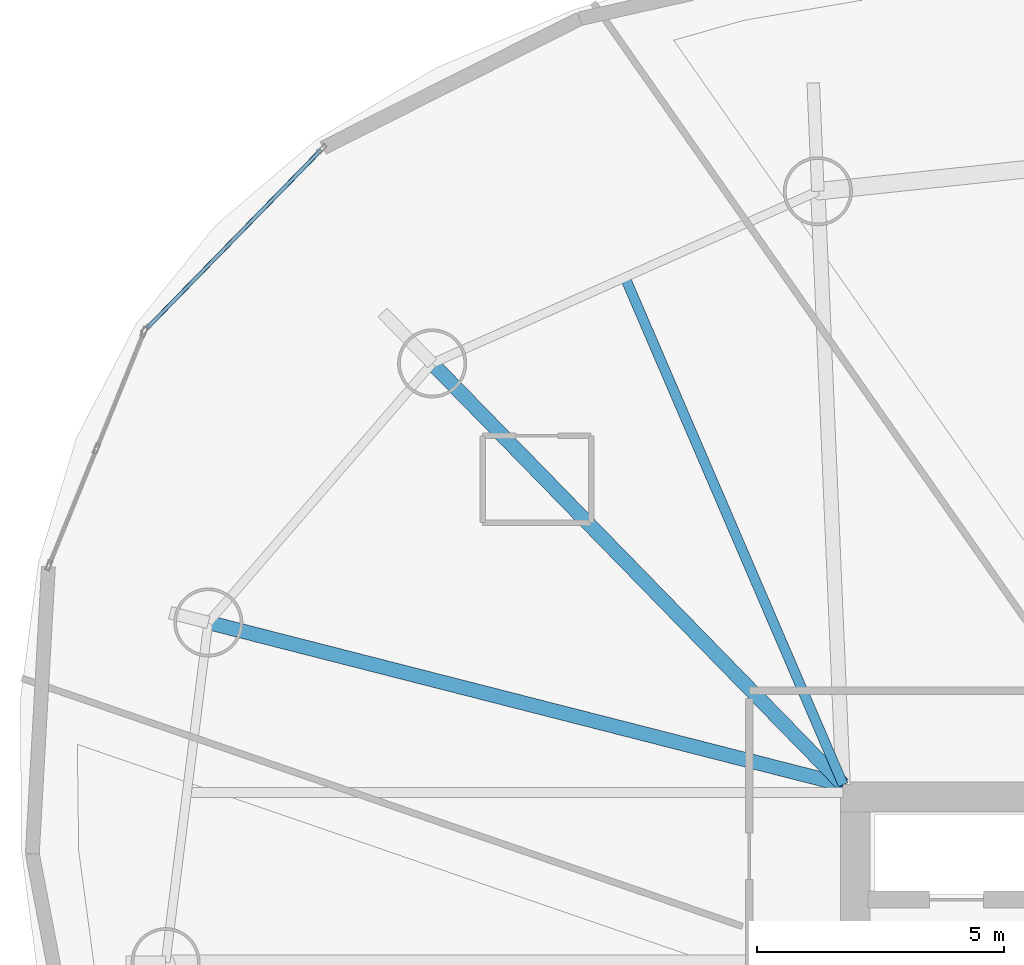
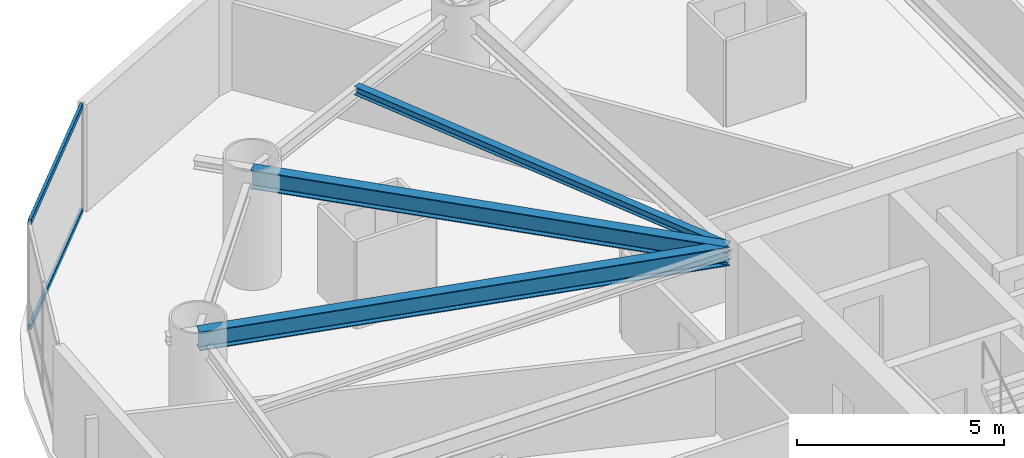
# One storey, part 11 of 21: 3 beams, 2 members, 1 element without a shape of its own.
"""IFC4 building model written with IfcOpenShell, lengths in metres."""

from ifc_helpers import new_model, si_unit, direction, frame, origin, origin_2d, place, context, subcontext, project, spatial, hollow_rectangle, i_section, extrude, material, layer, layer_set, material_profile, profile_set, type_object, element, aggregate, save


model = new_model("IFC4")

# Units and contexts
model_context = context("Model", 3, precision=1e-05, world=origin(), true_north=direction((0.0, 1.0)))
body_context = subcontext(model_context, "Body", "Model", "MODEL_VIEW")
ifc_project = project(units=[si_unit("LENGTHUNIT", "METRE"), si_unit("AREAUNIT", "SQUARE_METRE"), si_unit("VOLUMEUNIT", "CUBIC_METRE"), si_unit("PLANEANGLEUNIT", "RADIAN"), si_unit("MASSUNIT", "GRAM", prefix="KILO")], contexts=[model_context])

# Site, building, storey
site_placement = place(None, origin())
site = spatial("IfcSite", under=ifc_project, at=site_placement, CompositionType="ELEMENT")
building_placement = place(site_placement, origin())
building = spatial("IfcBuilding", under=site, at=building_placement, Name="Bramvorn Convention Spire", CompositionType="ELEMENT")
storey_placement = place(building_placement, frame((0.0, 0.0, 162.300048828125)))
storey = spatial("IfcBuildingStorey", under=building, at=storey_placement, Name="L41", CompositionType="ELEMENT", Elevation=162.300048828125)

# Beams
ifc_material_1 = material(Name="Steel CSA G40.21 Grade 350 (350W)", Category="steel")
ifc_material_profile_1 = material_profile(ifc_material_1, i_section(OverallWidth=0.201904296875, OverallDepth=0.2470703125, WebThickness=0.00732421875, FlangeThickness=0.010986328125, FilletRadius=0.011962890625, at=origin_2d()))
ifc_profile_set_1 = profile_set([ifc_material_profile_1], Name="Steel CSA G40.21 Grade 350 (350W) - W250X49")
beam_type_1 = type_object("IfcBeamType", Name="BM-W250X49", PredefinedType="JOIST", material=ifc_profile_set_1)
beam_1_placement = place(storey_placement, frame((26.75, 33.449951171875, 3.0263671875), z_axis=(-0.394937739893, 0.918707886985, 0.0), x_axis=(-0.918707886985, -0.394937739893, 0.0)))
element("IfcBeam", 1, at=beam_1_placement, inside=storey, type_object=beam_type_1, Name="L41 composite floor joist 07", PredefinedType="JOIST", context=body_context, shape_type="SweptSolid", body=[
    extrude(i_section(OverallWidth=0.201904296875, OverallDepth=0.2470703125, WebThickness=0.00732421875, FlangeThickness=0.010986328125, FilletRadius=0.011962890625, at=origin_2d()), origin(), (0.0, 0.0, 1.0), 11.19384765625),
])
ifc_material_profile_2 = material_profile(ifc_material_1, i_section(OverallWidth=0.2919921875, OverallDepth=0.551025390625, WebThickness=0.01513671875, FlangeThickness=0.0244140625, FilletRadius=0.01904296875, at=origin_2d()))
ifc_profile_set_2 = profile_set([ifc_material_profile_2], Name="Steel CSA G40.21 Grade 350 (350W) - W530X182")
beam_type_2 = type_object("IfcBeamType", Name="BM-W530X182", PredefinedType="BEAM", material=ifc_profile_set_2)
beam_2_placement = place(storey_placement, frame((26.75, 33.449951171875, 2.87451171875), z_axis=(-0.698272445638, 0.715832097397, 0.0), x_axis=(-0.715832097397, -0.698272445638, 0.0)))
element("IfcBeam", 2, at=beam_2_placement, inside=storey, type_object=beam_type_2, Name="L41 radial floor girder MC08", PredefinedType="BEAM", context=body_context, shape_type="SweptSolid", body=[
    extrude(i_section(OverallWidth=0.2919921875, OverallDepth=0.551025390625, WebThickness=0.01513671875, FlangeThickness=0.0244140625, FilletRadius=0.01904296875, at=origin_2d()), origin(), (0.0, 0.0, 1.0), 11.92919921875),
])
beam_3_placement = place(storey_placement, frame((26.75, 33.449951171875, 2.87451171875), z_axis=(-0.968872976577, 0.247558387576, 0.0), x_axis=(-0.247558387576, -0.968872976577, 0.0)))
element("IfcBeam", 3, at=beam_3_placement, inside=storey, type_object=beam_type_2, Name="L41 radial floor girder MC09", PredefinedType="BEAM", context=body_context, shape_type="SweptSolid", body=[
    extrude(i_section(OverallWidth=0.2919921875, OverallDepth=0.551025390625, WebThickness=0.01513671875, FlangeThickness=0.0244140625, FilletRadius=0.01904296875, at=origin_2d()), origin(), (0.0, 0.0, 1.0), 13.281005859375),
])

# Curtain wall, members
ifc_material_2 = material(Name="Anodised Bronze Unitised Curtain Wall", Category="aluminium")
ifc_layer = layer(ifc_material_2, 0.179931640625)
ifc_layer_set = layer_set([ifc_layer], Name="Anodised Bronze Unitised Curtain Wall - CW-HTL-FRIT")
curtain_wall_type = type_object("IfcCurtainWallType", Name="CW-HTL-FRIT", PredefinedType="USERDEFINED", material=ifc_layer_set)
curtain_wall_placement = place(storey_placement, origin())
curtain_wall = element("IfcCurtainWall", 4, at=curtain_wall_placement, inside=storey, type_object=curtain_wall_type, Name="L41 fritted glass curtain wall 12", ObjectType="UNITISED CURTAIN WALL", PredefinedType="USERDEFINED")
ifc_material_3 = material(Name="Anodised Bronze Aluminium 6063-T6", Category="aluminium")
ifc_material_profile_3 = material_profile(ifc_material_3, hollow_rectangle(XDim=0.080078125, YDim=0.159912109375, WallThickness=0.00390625, InnerFilletRadius=0.0009765625, OuterFilletRadius=0.00390625, at=origin_2d()))
ifc_profile_set_3 = profile_set([ifc_material_profile_3], Name="Anodised Bronze Aluminium 6063-T6 - CWT80X160")
member_type = type_object("IfcMemberType", Name="CW-TRN-150", PredefinedType="USERDEFINED", material=ifc_profile_set_3)
member_1_placement = place(storey_placement, frame((12.635498046875, 42.699951171875, 0.030029296875), z_axis=(0.698774589256, 0.71534192762, 0.0), x_axis=(-0.71534192762, 0.698774589256, 0.0)))
member_1 = element("IfcMember", 5, at=member_1_placement, type_object=member_type, Name="CW2 transom 1.1", ObjectType="TRANSOM", PredefinedType="USERDEFINED", context=body_context, shape_type="SweptSolid", body=[
    extrude(hollow_rectangle(XDim=0.080078125, YDim=0.159912109375, WallThickness=0.00390625, InnerFilletRadius=0.0009765625, OuterFilletRadius=0.00390625, at=origin_2d()), origin(), (0.0, 0.0, 1.0), 5.054443359375),
])
member_2_placement = place(storey_placement, frame((12.635498046875, 42.699951171875, 3.119873046875), z_axis=(0.698774589256, 0.71534192762, 0.0), x_axis=(-0.71534192762, 0.698774589256, 0.0)))
member_2 = element("IfcMember", 6, at=member_2_placement, type_object=member_type, Name="CW2 transom 1.2", ObjectType="TRANSOM", PredefinedType="USERDEFINED", context=body_context, shape_type="SweptSolid", body=[
    extrude(hollow_rectangle(XDim=0.080078125, YDim=0.159912109375, WallThickness=0.00390625, InnerFilletRadius=0.0009765625, OuterFilletRadius=0.00390625, at=origin_2d()), origin(), (0.0, 0.0, 1.0), 5.054443359375),
])
aggregate(curtain_wall, [member_1, member_2])

save(model, "model.ifc")
